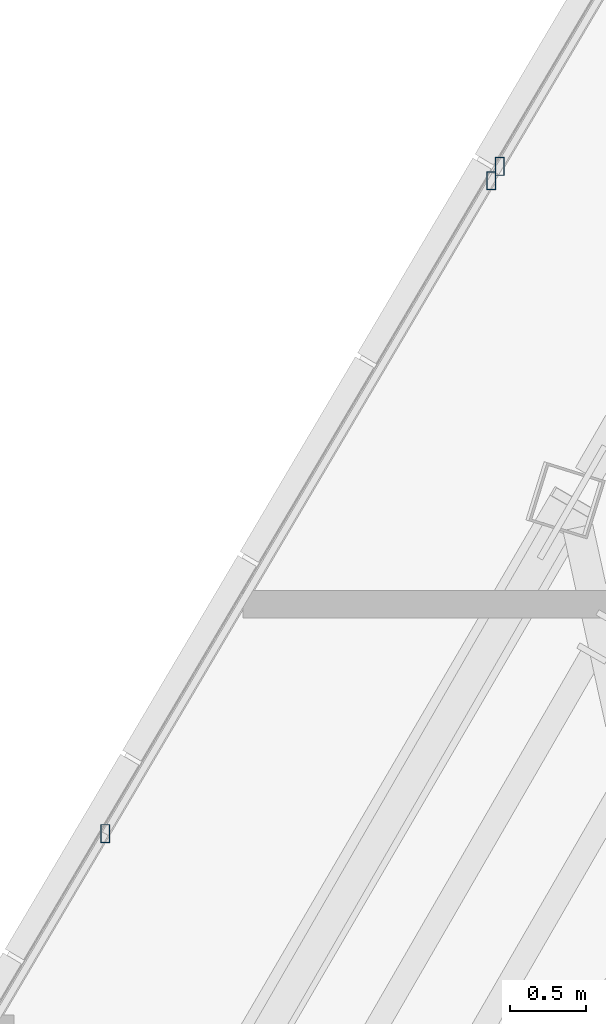
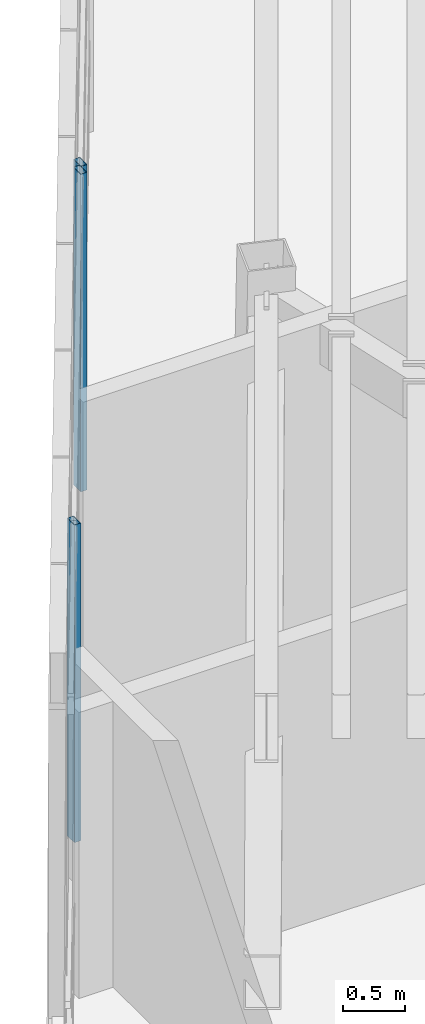
# One storey, part 19 of 48: 3 members, 2 elements without a shape of their own.
"""IFC4 building model written with IfcOpenShell, lengths in metres."""

from ifc_helpers import new_model, si_unit, direction, frame, origin, origin_2d, place, context, subcontext, project, spatial, hollow_rectangle, extrude, source, transform, mapped, material, material_profile, profile_set, type_object, type_shapes, element, aggregate, save


model = new_model("IFC4")

# Units and contexts
model_context = context("Model", 3, precision=1e-05, world=origin(), true_north=direction((0.0, 1.0)))
body_context = subcontext(model_context, "Body", "Model", "MODEL_VIEW")
ifc_project = project(units=[si_unit("LENGTHUNIT", "METRE"), si_unit("AREAUNIT", "SQUARE_METRE"), si_unit("VOLUMEUNIT", "CUBIC_METRE"), si_unit("PLANEANGLEUNIT", "RADIAN"), si_unit("MASSUNIT", "GRAM", prefix="KILO")], contexts=[model_context])

# Site, building, storey
site_placement = place(None, origin())
site = spatial("IfcSite", under=ifc_project, at=site_placement, CompositionType="ELEMENT")
building_placement = place(site_placement, origin())
building = spatial("IfcBuilding", under=site, at=building_placement, Name="Caelisora Broadcast Tower", CompositionType="ELEMENT")
storey_placement = place(building_placement, frame((0.0, 0.0, 300.0)))
storey = spatial("IfcBuildingStorey", under=building, at=storey_placement, Name="L79", CompositionType="ELEMENT", Elevation=300.0)

# Curtain wall, members
ifc_material_1 = material(Name="Unitised Aluminium Insulated Shadow-Box Spandrel Curtain Wall", Category="aluminium")
curtain_wall_type = type_object("IfcCurtainWallType", Name="CW-SP3", PredefinedType="NOTDEFINED", material=ifc_material_1)
curtain_wall_1_placement = place(storey_placement, origin())
curtain_wall_1 = element("IfcCurtainWall", 1, at=curtain_wall_1_placement, inside=storey, type_object=curtain_wall_type, Name="L79 curtain wall CW-SP3", PredefinedType="NOTDEFINED")
ifc_material_2 = material(Name="Aluminium 6063-T6 Anodised Terracotta Bronze", Category="aluminium")
ifc_material_profile = material_profile(ifc_material_2, hollow_rectangle(XDim=0.06005859375, YDim=0.1201171875, WallThickness=0.0029296875, at=origin_2d()), Name="Aluminium 6063-T6 Anodised Terracotta Bronze")
ifc_profile_set = profile_set([ifc_material_profile], Name="Aluminium 6063-T6 Anodised Terracotta Bronze")
member_type = type_object("IfcMemberType", Name="CWM-04", PredefinedType="MULLION", material=ifc_profile_set)
shared_shape = source(origin(), body_context, "Body", "SweptSolid", [
    extrude(hollow_rectangle(XDim=0.06005859375, YDim=0.1201171875, WallThickness=0.0029296875, at=origin_2d()), origin(), (0.0, 0.0, 1.0), 3.14990234375),
])
type_shapes(member_type, [shared_shape])
member_1_placement = place(storey_placement, frame((26.089599609375, 33.99853515625, 0.0), z_axis=(0.0, 0.0, 1.0), x_axis=(1.0, 0.0, 0.0)))
member_1 = element("IfcMember", 2, at=member_1_placement, type_object=member_type, Name="L79-CW-B10 mullion #2", PredefinedType="MULLION", context=body_context, shape_type="MappedRepresentation", body=[
    mapped(shared_shape, transform((0.0, 0.0, 0.0), scale=1.0)),
])
member_2_placement = place(storey_placement, frame((28.61767578125, 38.275390625, 0.0), z_axis=(0.0, 0.0, 1.0), x_axis=(1.0, 0.0, 0.0)))
member_2 = element("IfcMember", 3, at=member_2_placement, type_object=member_type, Name="L79-CW-B10 mullion #3", PredefinedType="MULLION", context=body_context, shape_type="MappedRepresentation", body=[
    mapped(shared_shape, transform((0.0, 0.0, 0.0), scale=1.0)),
])
aggregate(curtain_wall_1, [member_1, member_2])

# Curtain wall, member
curtain_wall_2_placement = place(storey_placement, origin())
curtain_wall_2 = element("IfcCurtainWall", 4, at=curtain_wall_2_placement, inside=storey, type_object=curtain_wall_type, Name="L79 curtain wall CW-SP3", PredefinedType="NOTDEFINED")
member_3_placement = place(storey_placement, frame((28.673583984375, 38.3701171875, 0.0), z_axis=(0.0, 0.0, 1.0), x_axis=(1.0, 0.0, 0.0)))
member_3 = element("IfcMember", 5, at=member_3_placement, type_object=member_type, Name="L79-CW-B11 mullion #0", PredefinedType="MULLION", context=body_context, shape_type="MappedRepresentation", body=[
    mapped(shared_shape, transform((0.0, 0.0, 0.0), scale=1.0)),
])
aggregate(curtain_wall_2, [member_3])

save(model, "model.ifc")
